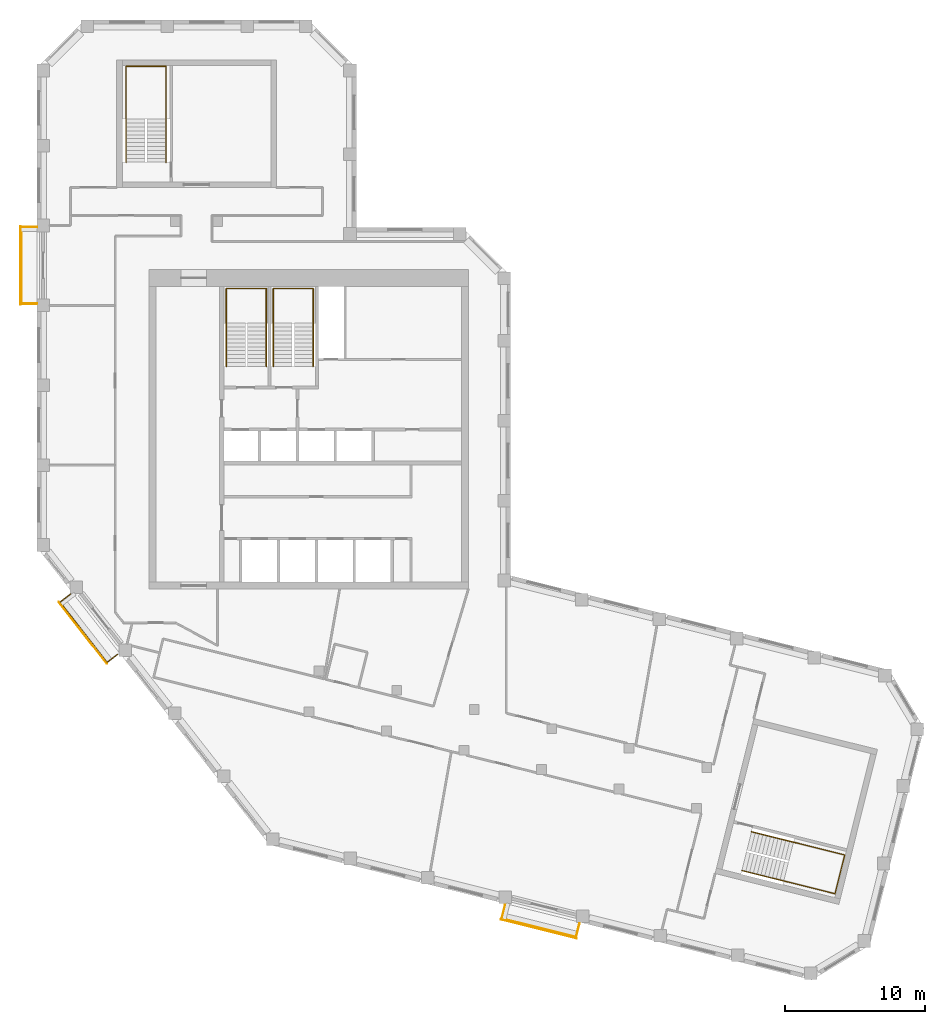
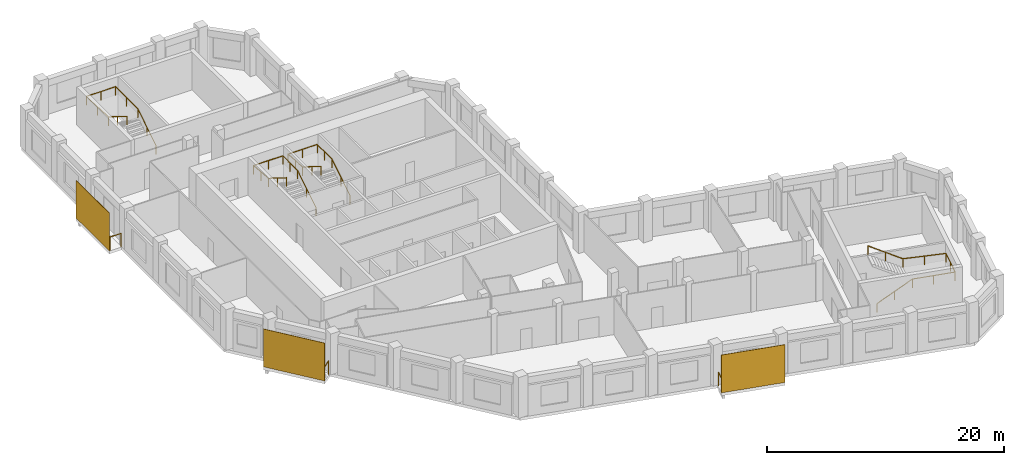
# One storey, part 8 of 8: 7 railings, 3 shading devices.
"""IFC4 building model written with IfcOpenShell, lengths in metres."""

from ifc_helpers import new_model, si_unit, direction, frame, origin, origin_2d, place, context, subcontext, project, spatial, rectangle, circle, extrude, material, layer, layer_set, type_object, element, save


model = new_model("IFC4")

# Units and contexts
model_context = context("Model", 3, precision=1e-05, world=origin(), true_north=direction((0.0, 1.0)))
body_context = subcontext(model_context, "Body", "Model", "MODEL_VIEW")
ifc_project = project(units=[si_unit("LENGTHUNIT", "METRE"), si_unit("AREAUNIT", "SQUARE_METRE"), si_unit("VOLUMEUNIT", "CUBIC_METRE"), si_unit("PLANEANGLEUNIT", "RADIAN"), si_unit("MASSUNIT", "GRAM", prefix="KILO")], contexts=[model_context])

# Site, building, storey
site_placement = place(None, origin())
site = spatial("IfcSite", under=ifc_project, at=site_placement, CompositionType="ELEMENT")
building_placement = place(site_placement, origin())
building = spatial("IfcBuilding", under=site, at=building_placement, Name="Meshkara Civic Tower", CompositionType="ELEMENT")
storey_placement = place(building_placement, frame((0.0, 0.0, 379.199951171875)))
storey = spatial("IfcBuildingStorey", under=building, at=storey_placement, Name="L87", CompositionType="ELEMENT", Elevation=379.199951171875)

# Railings
ifc_material_1 = material(Name="Steel S355", Category="steel")
railing_type_1 = type_object("IfcRailingType", Name="BALUSTRADE GUARD 1400", PredefinedType="BALUSTRADE", material=ifc_material_1)
railing_1_placement = place(storey_placement, frame((0.0, 39.93505859375, 0.0)))
element("IfcRailing", 1, at=railing_1_placement, inside=storey, type_object=railing_type_1, Name="Balcony guard", PredefinedType="BALUSTRADE", context=body_context, shape_type="SweptSolid", body=[
    extrude(circle(Radius=0.02392578125, at=origin_2d()), frame((0.0, 0.0, 1.3759765625), z_axis=(-1.0, 0.0, 0.0), x_axis=(0.0, -1.0, 0.0)), (0.0, 0.0, 1.0), 1.110107421875),
    extrude(circle(Radius=0.02392578125, at=origin_2d()), frame((-1.110107421875, 0.0, 1.3759765625), z_axis=(0.0, -1.0, 0.0), x_axis=(1.0, 0.0, 0.0)), (0.0, 0.0, 1.0), 5.4599609375),
    extrude(circle(Radius=0.02392578125, at=origin_2d()), frame((-1.110107421875, -5.4599609375, 1.3759765625), z_axis=(1.0, 0.0, 0.0), x_axis=(0.0, 1.0, 0.0)), (0.0, 0.0, 1.0), 1.110107421875),
    extrude(circle(Radius=0.02099609375, at=origin_2d()), origin(), (0.0, 0.0, 1.0), 1.351806640625),
    extrude(circle(Radius=0.02099609375, at=origin_2d()), frame((-1.110107421875, 0.0, 0.0)), (0.0, 0.0, 1.0), 1.351806640625),
    extrude(circle(Radius=0.02099609375, at=origin_2d()), frame((-1.110107421875, -1.092041015625, 0.0)), (0.0, 0.0, 1.0), 1.351806640625),
    extrude(circle(Radius=0.02099609375, at=origin_2d()), frame((-1.110107421875, -2.18408203125, 0.0)), (0.0, 0.0, 1.0), 1.351806640625),
    extrude(circle(Radius=0.02099609375, at=origin_2d()), frame((-1.110107421875, -3.27587890625, 0.0)), (0.0, 0.0, 1.0), 1.351806640625),
    extrude(circle(Radius=0.02099609375, at=origin_2d()), frame((-1.110107421875, -4.367919921875, 0.0)), (0.0, 0.0, 1.0), 1.351806640625),
    extrude(circle(Radius=0.02099609375, at=origin_2d()), frame((-1.110107421875, -5.4599609375, 0.0)), (0.0, 0.0, 1.0), 1.351806640625),
    extrude(circle(Radius=0.02099609375, at=origin_2d()), frame((0.0, -5.4599609375, 0.0)), (0.0, 0.0, 1.0), 1.351806640625),
])
railing_2_placement = place(storey_placement, frame((2.389892578125, 13.74609375, 0.0)))
element("IfcRailing", 2, at=railing_2_placement, inside=storey, type_object=railing_type_1, Name="Balcony guard", PredefinedType="BALUSTRADE", context=body_context, shape_type="SweptSolid", body=[
    extrude(circle(Radius=0.02392578125, at=origin_2d()), frame((0.0, 0.0, 1.3759765625), z_axis=(-0.7875216523, -0.616286984415, 0.0), x_axis=(0.616286984415, -0.7875216523, 0.0)), (0.0, 0.0, 1.0), 0.92822265625),
    extrude(circle(Radius=0.02392578125, at=origin_2d()), frame((-0.73095703125, -0.572021484375, 1.3759765625), z_axis=(0.615573755741, -0.788079279795, 0.0), x_axis=(0.788079279795, 0.615573755741, 0.0)), (0.0, 0.0, 1.0), 5.460205078125),
    extrude(circle(Radius=0.02392578125, at=origin_2d()), frame((2.630126953125, -4.875, 1.3759765625), z_axis=(0.787920766417, 0.615776636329, 0.0), x_axis=(-0.615776636329, 0.787920766417, 0.0)), (0.0, 0.0, 1.0), 0.928955078125),
    extrude(circle(Radius=0.02099609375, at=origin_2d()), origin(), (0.0, 0.0, 1.0), 1.351806640625),
    extrude(circle(Radius=0.02099609375, at=origin_2d()), frame((-0.73095703125, -0.572021484375, 0.0)), (0.0, 0.0, 1.0), 1.351806640625),
    extrude(circle(Radius=0.02099609375, at=origin_2d()), frame((-0.058837890625, -1.4326171875, 0.0)), (0.0, 0.0, 1.0), 1.351806640625),
    extrude(circle(Radius=0.02099609375, at=origin_2d()), frame((0.613525390625, -2.293212890625, 0.0)), (0.0, 0.0, 1.0), 1.351806640625),
    extrude(circle(Radius=0.02099609375, at=origin_2d()), frame((1.28564453125, -3.15380859375, 0.0)), (0.0, 0.0, 1.0), 1.351806640625),
    extrude(circle(Radius=0.02099609375, at=origin_2d()), frame((1.9580078125, -4.014404296875, 0.0)), (0.0, 0.0, 1.0), 1.351806640625),
    extrude(circle(Radius=0.02099609375, at=origin_2d()), frame((2.630126953125, -4.875, 0.0)), (0.0, 0.0, 1.0), 1.351806640625),
    extrude(circle(Radius=0.02099609375, at=origin_2d()), frame((3.362060546875, -4.302978515625, 0.0)), (0.0, 0.0, 1.0), 1.351806640625),
])
railing_3_placement = place(storey_placement, frame((33.427978515625, -8.43310546875, 0.0)))
element("IfcRailing", 3, at=railing_3_placement, inside=storey, type_object=railing_type_1, Name="Balcony guard", PredefinedType="BALUSTRADE", context=body_context, shape_type="SweptSolid", body=[
    extrude(circle(Radius=0.02392578125, at=origin_2d()), frame((0.0, 0.0, 1.3759765625), z_axis=(-0.242648904851, -0.970114173164, 0.0), x_axis=(0.970114173164, -0.242648904851, 0.0)), (0.0, 0.0, 1.0), 1.01416015625),
    extrude(circle(Radius=0.02392578125, at=origin_2d()), frame((-0.24609375, -0.98388671875, 1.3759765625), z_axis=(0.970292231073, -0.24193591366, 0.0), x_axis=(0.24193591366, 0.970292231073, 0.0)), (0.0, 0.0, 1.0), 5.460205078125),
    extrude(circle(Radius=0.02392578125, at=origin_2d()), frame((5.052001953125, -2.304931640625, 1.3759765625), z_axis=(0.242592252133, 0.970128341615, 0.0), x_axis=(-0.970128341615, 0.242592252133, 0.0)), (0.0, 0.0, 1.0), 1.014404296875),
    extrude(circle(Radius=0.02099609375, at=origin_2d()), origin(), (0.0, 0.0, 1.0), 1.351806640625),
    extrude(circle(Radius=0.02099609375, at=origin_2d()), frame((-0.24609375, -0.98388671875, 0.0)), (0.0, 0.0, 1.0), 1.351806640625),
    extrude(circle(Radius=0.02099609375, at=origin_2d()), frame((0.8134765625, -1.248046875, 0.0)), (0.0, 0.0, 1.0), 1.351806640625),
    extrude(circle(Radius=0.02099609375, at=origin_2d()), frame((1.873046875, -1.51220703125, 0.0)), (0.0, 0.0, 1.0), 1.351806640625),
    extrude(circle(Radius=0.02099609375, at=origin_2d()), frame((2.932861328125, -1.776611328125, 0.0)), (0.0, 0.0, 1.0), 1.351806640625),
    extrude(circle(Radius=0.02099609375, at=origin_2d()), frame((3.992431640625, -2.040771484375, 0.0)), (0.0, 0.0, 1.0), 1.351806640625),
    extrude(circle(Radius=0.02099609375, at=origin_2d()), frame((5.052001953125, -2.304931640625, 0.0)), (0.0, 0.0, 1.0), 1.351806640625),
    extrude(circle(Radius=0.02099609375, at=origin_2d()), frame((5.298095703125, -1.32080078125, 0.0)), (0.0, 0.0, 1.0), 1.351806640625),
])

# Shading devices
ifc_material_2 = material(Name="Perforated bronze anodised aluminium sheet", Category="aluminium")
ifc_layer = layer(ifc_material_2, 0.0400390625)
ifc_layer_set = layer_set([ifc_layer], Name="PERFORATED BRONZE SCREEN")
shading_device_type = type_object("IfcShadingDeviceType", Name="PERFORATED BRONZE SCREEN", PredefinedType="USERDEFINED", material=ifc_layer_set)
for number, where, z_axis, x_axis, name in (
    (4, (-1.179931640625, 37.205078125, 0.0), (0.0, 0.0, 1.0), (0.0, -1.0, 0.0), "Balcony screen"),
    (5, (3.283935546875, 10.97998046875, 0.0), (0.0, 0.0, 1.0), (0.615661475326, -0.788010753607, 0.0), "Balcony screen"),
    (6, (35.81396484375, -10.14599609375, 0.0), (0.0, 0.0, 1.0), (0.970295726276, -0.2419218956, 0.0), "Balcony screen"),
):
    element("IfcShadingDevice", number, at=place(storey_placement, frame(where, z_axis=z_axis, x_axis=x_axis)), inside=storey, type_object=shading_device_type, Name=name, ObjectType="SCREEN", PredefinedType="USERDEFINED", context=body_context, shape_type="SweptSolid", body=[
        extrude(rectangle(XDim=5.580078125, YDim=0.0400390625, at=origin_2d()), origin(), (0.0, 0.0, 1.0), 3.89990234375),
    ])

# Railings
ifc_material_3 = material(Name="Steel handrail", Category="steel")
railing_type_2 = type_object("IfcRailingType", Name="Stair handrail 900", PredefinedType="HANDRAIL", material=ifc_material_3)
railing_4_placement = place(storey_placement, frame((16.375, 30.0, 0.175048828125)))
element("IfcRailing", 7, at=railing_4_placement, inside=storey, type_object=railing_type_2, Name="L87 ST1 stair handrail 1", PredefinedType="HANDRAIL", context=body_context, shape_type="SweptSolid", body=[
    extrude(circle(Radius=0.02392578125, at=origin_2d()), frame((0.0, 0.0, 0.8759765625), z_axis=(0.0, 0.847998304005, 0.529998940003), x_axis=(-1.0, 0.0, 0.0)), (0.0, 0.0, 1.0), 3.632080078125),
    extrude(circle(Radius=0.02392578125, at=origin_2d()), frame((0.0, 3.080078125, 2.80078125), z_axis=(0.0, 1.0, 0.0), x_axis=(-1.0, 0.0, 0.0)), (0.0, 0.0, 1.0), 2.469970703125),
    extrude(circle(Radius=0.02392578125, at=origin_2d()), frame((0.0, 5.550048828125, 2.80078125), z_axis=(-1.0, 0.0, 0.0), x_axis=(0.0, -1.0, 0.0)), (0.0, 0.0, 1.0), 2.85009765625),
    extrude(circle(Radius=0.02392578125, at=origin_2d()), frame((-2.85009765625, 5.550048828125, 2.80078125), z_axis=(0.0, -0.997498084828, 0.070693498747), x_axis=(1.0, 0.0, 0.0)), (0.0, 0.0, 1.0), 2.47607421875),
    extrude(circle(Radius=0.02392578125, at=origin_2d()), frame((-2.85009765625, 3.080078125, 2.97607421875), z_axis=(0.0, -0.848028513186, 0.529950602248), x_axis=(1.0, 0.0, 0.0)), (0.0, 0.0, 1.0), 3.632080078125),
    extrude(circle(Radius=0.02099609375, at=origin_2d()), origin(), (0.0, 0.0, 1.0), 0.851806640625),
    extrude(circle(Radius=0.02099609375, at=origin_2d()), frame((0.0, 1.5400390625, 0.96240234375)), (0.0, 0.0, 1.0), 0.851806640625),
    extrude(circle(Radius=0.02099609375, at=origin_2d()), frame((0.0, 3.080078125, 1.925048828125)), (0.0, 0.0, 1.0), 0.851806640625),
    extrude(circle(Radius=0.02099609375, at=origin_2d()), frame((0.0, 4.31494140625, 1.925048828125)), (0.0, 0.0, 1.0), 0.851806640625),
    extrude(circle(Radius=0.02099609375, at=origin_2d()), frame((0.0, 5.550048828125, 1.925048828125)), (0.0, 0.0, 1.0), 0.851806640625),
    extrude(circle(Radius=0.02099609375, at=origin_2d()), frame((-1.425048828125, 5.550048828125, 1.925048828125)), (0.0, 0.0, 1.0), 0.851806640625),
    extrude(circle(Radius=0.02099609375, at=origin_2d()), frame((-2.85009765625, 5.550048828125, 1.925048828125)), (0.0, 0.0, 1.0), 0.851806640625),
    extrude(circle(Radius=0.02099609375, at=origin_2d()), frame((-2.85009765625, 4.31494140625, 2.0126953125)), (0.0, 0.0, 1.0), 0.851806640625),
    extrude(circle(Radius=0.02099609375, at=origin_2d()), frame((-2.85009765625, 3.080078125, 2.10009765625)), (0.0, 0.0, 1.0), 0.851806640625),
    extrude(circle(Radius=0.02099609375, at=origin_2d()), frame((-2.85009765625, 1.5400390625, 3.0625)), (0.0, 0.0, 1.0), 0.851806640625),
    extrude(circle(Radius=0.02099609375, at=origin_2d()), frame((-2.85009765625, 0.0, 4.02490234375)), (0.0, 0.0, 1.0), 0.851806640625),
])
railing_5_placement = place(storey_placement, frame((19.72509765625, 30.0, 0.175048828125)))
element("IfcRailing", 8, at=railing_5_placement, inside=storey, type_object=railing_type_2, Name="L87 ST2 stair handrail 1", PredefinedType="HANDRAIL", context=body_context, shape_type="SweptSolid", body=[
    extrude(circle(Radius=0.02392578125, at=origin_2d()), frame((0.0, 0.0, 0.8759765625), z_axis=(0.0, 0.847998304005, 0.529998940003), x_axis=(-1.0, 0.0, 0.0)), (0.0, 0.0, 1.0), 3.632080078125),
    extrude(circle(Radius=0.02392578125, at=origin_2d()), frame((0.0, 3.080078125, 2.80078125), z_axis=(0.0, 1.0, 0.0), x_axis=(-1.0, 0.0, 0.0)), (0.0, 0.0, 1.0), 2.469970703125),
    extrude(circle(Radius=0.02392578125, at=origin_2d()), frame((0.0, 5.550048828125, 2.80078125), z_axis=(-1.0, 0.0, 0.0), x_axis=(0.0, -1.0, 0.0)), (0.0, 0.0, 1.0), 2.85009765625),
    extrude(circle(Radius=0.02392578125, at=origin_2d()), frame((-2.85009765625, 5.550048828125, 2.80078125), z_axis=(0.0, -0.997498084828, 0.070693498747), x_axis=(1.0, 0.0, 0.0)), (0.0, 0.0, 1.0), 2.47607421875),
    extrude(circle(Radius=0.02392578125, at=origin_2d()), frame((-2.85009765625, 3.080078125, 2.97607421875), z_axis=(0.0, -0.848028513186, 0.529950602248), x_axis=(1.0, 0.0, 0.0)), (0.0, 0.0, 1.0), 3.632080078125),
    extrude(circle(Radius=0.02099609375, at=origin_2d()), origin(), (0.0, 0.0, 1.0), 0.851806640625),
    extrude(circle(Radius=0.02099609375, at=origin_2d()), frame((0.0, 1.5400390625, 0.96240234375)), (0.0, 0.0, 1.0), 0.851806640625),
    extrude(circle(Radius=0.02099609375, at=origin_2d()), frame((0.0, 3.080078125, 1.925048828125)), (0.0, 0.0, 1.0), 0.851806640625),
    extrude(circle(Radius=0.02099609375, at=origin_2d()), frame((0.0, 4.31494140625, 1.925048828125)), (0.0, 0.0, 1.0), 0.851806640625),
    extrude(circle(Radius=0.02099609375, at=origin_2d()), frame((0.0, 5.550048828125, 1.925048828125)), (0.0, 0.0, 1.0), 0.851806640625),
    extrude(circle(Radius=0.02099609375, at=origin_2d()), frame((-1.425048828125, 5.550048828125, 1.925048828125)), (0.0, 0.0, 1.0), 0.851806640625),
    extrude(circle(Radius=0.02099609375, at=origin_2d()), frame((-2.85009765625, 5.550048828125, 1.925048828125)), (0.0, 0.0, 1.0), 0.851806640625),
    extrude(circle(Radius=0.02099609375, at=origin_2d()), frame((-2.85009765625, 4.31494140625, 2.0126953125)), (0.0, 0.0, 1.0), 0.851806640625),
    extrude(circle(Radius=0.02099609375, at=origin_2d()), frame((-2.85009765625, 3.080078125, 2.10009765625)), (0.0, 0.0, 1.0), 0.851806640625),
    extrude(circle(Radius=0.02099609375, at=origin_2d()), frame((-2.85009765625, 1.5400390625, 3.0625)), (0.0, 0.0, 1.0), 0.851806640625),
    extrude(circle(Radius=0.02099609375, at=origin_2d()), frame((-2.85009765625, 0.0, 4.02490234375)), (0.0, 0.0, 1.0), 0.851806640625),
])
railing_6_placement = place(storey_placement, frame((9.22509765625, 44.570068359375, 0.175048828125)))
element("IfcRailing", 9, at=railing_6_placement, inside=storey, type_object=railing_type_2, Name="L87 ESA6 stair handrail 1", PredefinedType="HANDRAIL", context=body_context, shape_type="SweptSolid", body=[
    extrude(circle(Radius=0.02392578125, at=origin_2d()), frame((0.0, 0.0, 0.8759765625), z_axis=(0.0, 0.847979421464, 0.530029150871), x_axis=(-1.0, 0.0, 0.0)), (0.0, 0.0, 1.0), 3.632080078125),
    extrude(circle(Radius=0.02392578125, at=origin_2d()), frame((0.0, 3.079833984375, 2.80078125), z_axis=(0.0, 1.0, 0.0), x_axis=(-1.0, 0.0, 0.0)), (0.0, 0.0, 1.0), 3.77001953125),
    extrude(circle(Radius=0.02392578125, at=origin_2d()), frame((0.0, 6.849853515625, 2.80078125), z_axis=(-1.0, 0.0, 0.0), x_axis=(0.0, -1.0, 0.0)), (0.0, 0.0, 1.0), 2.85009765625),
    extrude(circle(Radius=0.02392578125, at=origin_2d()), frame((-2.85009765625, 6.849853515625, 2.80078125), z_axis=(0.0, -0.9989237834, 0.046381838667), x_axis=(1.0, 0.0, 0.0)), (0.0, 0.0, 1.0), 3.774169921875),
    extrude(circle(Radius=0.02392578125, at=origin_2d()), frame((-2.85009765625, 3.079833984375, 2.97607421875), z_axis=(0.0, -0.848009633417, 0.529980812513), x_axis=(1.0, 0.0, 0.0)), (0.0, 0.0, 1.0), 3.6318359375),
    extrude(circle(Radius=0.02099609375, at=origin_2d()), origin(), (0.0, 0.0, 1.0), 0.851806640625),
    extrude(circle(Radius=0.02099609375, at=origin_2d()), frame((0.0, 1.5400390625, 0.96240234375)), (0.0, 0.0, 1.0), 0.851806640625),
    extrude(circle(Radius=0.02099609375, at=origin_2d()), frame((0.0, 3.079833984375, 1.925048828125)), (0.0, 0.0, 1.0), 0.851806640625),
    extrude(circle(Radius=0.02099609375, at=origin_2d()), frame((0.0, 4.96484375, 1.925048828125)), (0.0, 0.0, 1.0), 0.851806640625),
    extrude(circle(Radius=0.02099609375, at=origin_2d()), frame((0.0, 6.849853515625, 1.925048828125)), (0.0, 0.0, 1.0), 0.851806640625),
    extrude(circle(Radius=0.02099609375, at=origin_2d()), frame((-1.425048828125, 6.849853515625, 1.925048828125)), (0.0, 0.0, 1.0), 0.851806640625),
    extrude(circle(Radius=0.02099609375, at=origin_2d()), frame((-2.85009765625, 6.849853515625, 1.925048828125)), (0.0, 0.0, 1.0), 0.851806640625),
    extrude(circle(Radius=0.02099609375, at=origin_2d()), frame((-2.85009765625, 4.96484375, 2.0126953125)), (0.0, 0.0, 1.0), 0.851806640625),
    extrude(circle(Radius=0.02099609375, at=origin_2d()), frame((-2.85009765625, 3.079833984375, 2.10009765625)), (0.0, 0.0, 1.0), 0.851806640625),
    extrude(circle(Radius=0.02099609375, at=origin_2d()), frame((-2.85009765625, 1.5400390625, 3.0625)), (0.0, 0.0, 1.0), 0.851806640625),
    extrude(circle(Radius=0.02099609375, at=origin_2d()), frame((-2.85009765625, 0.0, 4.02490234375)), (0.0, 0.0, 1.0), 0.851806640625),
])
railing_7_placement = place(storey_placement, frame((50.31884765625, -5.975341796875, 0.175048828125)))
element("IfcRailing", 10, at=railing_7_placement, inside=storey, type_object=railing_type_2, Name="L87 ESB6 stair handrail 1", PredefinedType="HANDRAIL", context=body_context, shape_type="SweptSolid", body=[
    extrude(circle(Radius=0.02392578125, at=origin_2d()), frame((0.0, 0.0, 0.8759765625), z_axis=(0.822816010835, -0.205082235851, 0.530014234575), x_axis=(0.241845469214, 0.970314778317, 0.0)), (0.0, 0.0, 1.0), 3.632080078125),
    extrude(circle(Radius=0.02392578125, at=origin_2d()), frame((2.988525390625, -0.744873046875, 2.80078125), z_axis=(0.970325068916, -0.241804178279, 0.0), x_axis=(0.241804178279, 0.970325068916, 0.0)), (0.0, 0.0, 1.0), 3.77001953125),
    extrude(circle(Radius=0.02392578125, at=origin_2d()), frame((6.646728515625, -1.656494140625, 2.80078125), z_axis=(0.24183009087, 0.970318611153, 0.0), x_axis=(-0.970318611153, 0.24183009087, 0.0)), (0.0, 0.0, 1.0), 2.849853515625),
    extrude(circle(Radius=0.02392578125, at=origin_2d()), frame((7.3359375, 1.10888671875, 2.80078125), z_axis=(-0.969265675791, 0.241604865128, 0.046380371699), x_axis=(-0.241865147941, -0.970309873294, 0.0)), (0.0, 0.0, 1.0), 3.774169921875),
    extrude(circle(Radius=0.02392578125, at=origin_2d()), frame((3.677734375, 2.020751953125, 2.97607421875), z_axis=(-0.822856666903, 0.205025147787, 0.529973201688), x_axis=(-0.241770835762, -0.970333377234, 0.0)), (0.0, 0.0, 1.0), 3.6318359375),
    extrude(circle(Radius=0.02099609375, at=origin_2d()), origin(), (0.0, 0.0, 1.0), 0.851806640625),
    extrude(circle(Radius=0.02099609375, at=origin_2d()), frame((1.494140625, -0.37255859375, 0.96240234375)), (0.0, 0.0, 1.0), 0.851806640625),
    extrude(circle(Radius=0.02099609375, at=origin_2d()), frame((2.988525390625, -0.744873046875, 1.925048828125)), (0.0, 0.0, 1.0), 0.851806640625),
    extrude(circle(Radius=0.02099609375, at=origin_2d()), frame((4.817626953125, -1.20068359375, 1.925048828125)), (0.0, 0.0, 1.0), 0.851806640625),
    extrude(circle(Radius=0.02099609375, at=origin_2d()), frame((6.646728515625, -1.656494140625, 1.925048828125)), (0.0, 0.0, 1.0), 0.851806640625),
    extrude(circle(Radius=0.02099609375, at=origin_2d()), frame((6.9912109375, -0.27392578125, 1.925048828125)), (0.0, 0.0, 1.0), 0.851806640625),
    extrude(circle(Radius=0.02099609375, at=origin_2d()), frame((7.3359375, 1.10888671875, 1.925048828125)), (0.0, 0.0, 1.0), 0.851806640625),
    extrude(circle(Radius=0.02099609375, at=origin_2d()), frame((5.5068359375, 1.56494140625, 2.0126953125)), (0.0, 0.0, 1.0), 0.851806640625),
    extrude(circle(Radius=0.02099609375, at=origin_2d()), frame((3.677734375, 2.020751953125, 2.10009765625)), (0.0, 0.0, 1.0), 0.851806640625),
    extrude(circle(Radius=0.02099609375, at=origin_2d()), frame((2.18359375, 2.39306640625, 3.0625)), (0.0, 0.0, 1.0), 0.851806640625),
    extrude(circle(Radius=0.02099609375, at=origin_2d()), frame((0.689208984375, 2.765380859375, 4.02490234375)), (0.0, 0.0, 1.0), 0.851806640625),
])

save(model, "model.ifc")
